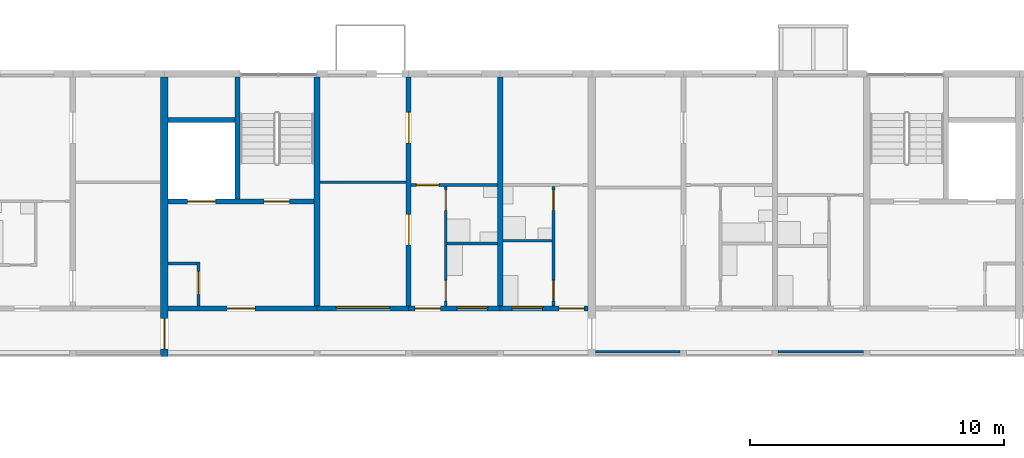
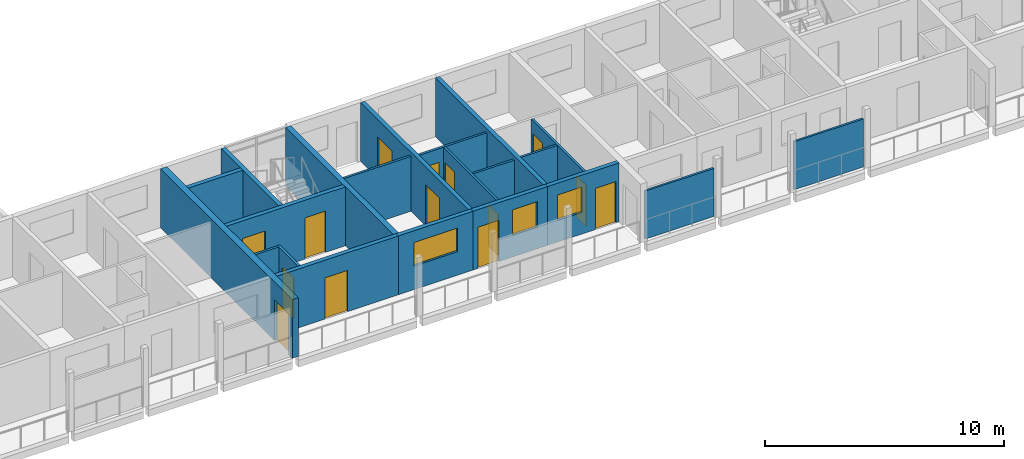
# One storey, part 35 of 99: 21 walls, 14 doors, 3 windows, 17 openings.
"""IFC4 building model written with IfcOpenShell, lengths in metres."""

from ifc_helpers import new_model, si_unit, direction, frame, frame_2d, origin, place, context, subcontext, project, spatial, rectangle, extrude, material, layer, layer_set, type_object, element, fill, save


model = new_model("IFC4")

# Units and contexts
model_context = context("Model", 3, precision=1e-05, world=origin(), true_north=direction((0.0, 1.0)))
body_context = subcontext(model_context, "Body", "Model", "MODEL_VIEW")
ifc_project = project(units=[si_unit("LENGTHUNIT", "METRE"), si_unit("AREAUNIT", "SQUARE_METRE"), si_unit("VOLUMEUNIT", "CUBIC_METRE"), si_unit("PLANEANGLEUNIT", "RADIAN"), si_unit("MASSUNIT", "GRAM", prefix="KILO")], contexts=[model_context])

# Site, building, storey
site_placement = place(None, origin())
site = spatial("IfcSite", under=ifc_project, at=site_placement, CompositionType="ELEMENT")
building_placement = place(site_placement, origin())
building = spatial("IfcBuilding", under=site, at=building_placement, Name="Ridgestep Commons", CompositionType="ELEMENT")
storey_placement = place(building_placement, frame((0.0, 0.0, 15.0)))
storey = spatial("IfcBuildingStorey", under=building, at=storey_placement, Name="L05", CompositionType="ELEMENT", Elevation=15.0)

# Wall
ifc_material_1 = material(Name="Concrete C30/37", Category="concrete")
ifc_layer_1 = layer(ifc_material_1, 0.25)
ifc_layer_set_1 = layer_set([ifc_layer_1], Name="Core cross wall 250")
wall_type_1 = type_object("IfcWallType", Name="Core cross wall 250", PredefinedType="SHEAR", material=ifc_layer_set_1)
wall_1_placement = place(storey_placement, frame((51.60009765625, 68.0, 0.0), z_axis=(0.0, 0.0, 1.0), x_axis=(0.0, 1.0, 0.0)))
element("IfcWall", 1, at=wall_1_placement, inside=storey, type_object=wall_type_1, Name="Cross wall B-05-0516", PredefinedType="SHEAR", context=body_context, shape_type="SweptSolid", body=[
    extrude(rectangle(XDim=9.0, YDim=0.25, at=frame_2d((4.5, 0.0))), origin(), (0.0, 0.0, 1.0), 3.0),
])

# Wall, opening, door
ifc_material_2 = material(Name="Concrete C30/37", Category="concrete")
ifc_layer_2 = layer(ifc_material_2, 0.199951171875)
ifc_layer_set_2 = layer_set([ifc_layer_2], Name="Core south wall 200")
wall_type_2 = type_object("IfcWallType", Name="Core south wall 200", PredefinedType="SHEAR", material=ifc_layer_set_2)
wall_2_placement = place(storey_placement, frame((45.75, 67.89990234375, 0.0), z_axis=(0.0, 0.0, 1.0), x_axis=(1.0, 0.0, 0.0)))
wall_2 = element("IfcWall", 2, at=wall_2_placement, inside=storey, type_object=wall_type_2, Name="Core south wall B3C L05", PredefinedType="SHEAR", context=body_context, shape_type="SweptSolid", body=[
    extrude(rectangle(XDim=5.85009765625, YDim=0.199951171875, at=frame_2d((2.925048828125, 0.0))), origin(), (0.0, 0.0, 1.0), 3.0),
])
opening_1_placement = place(wall_2_placement, frame((2.3125, 0.0, 0.0)))
opening_1 = element("IfcOpeningElement", 3, at=opening_1_placement, cuts=wall_2, Name="Opening B3C/05/1", PredefinedType="OPENING", context=body_context, shape_type="SweptSolid", body=[
    extrude(rectangle(XDim=1.10009765625, YDim=2.10009765625, at=frame_2d((0.550048828125, 1.050048828125))), frame((0.0, 0.10986328125, 0.0), z_axis=(0.0, -1.0, 0.0), x_axis=(1.0, 0.0, 0.0)), (0.0, 0.0, 1.0), 0.219970703125),
])
ifc_material_3 = material(Name="Steel fire door", Category="steel")
door_type_1 = type_object("IfcDoorType", Name="Lobby door 1100 x 2100 FD60", OperationType="NOTDEFINED", PredefinedType="DOOR", material=ifc_material_3)
door_1_placement = place(opening_1_placement, origin())
door_1 = element("IfcDoor", 4, at=door_1_placement, inside=storey, type_object=door_type_1, Name="Lobby door B3C/05/1", OperationType="SINGLE_SWING_LEFT", OverallHeight=2.10009765625, OverallWidth=1.10009765625, PredefinedType="DOOR", context=body_context, shape_type="SweptSolid", body=[
    extrude(rectangle(XDim=1.10009765625, YDim=2.10009765625, at=frame_2d((0.550048828125, 1.050048828125))), frame((0.0, 0.02490234375, 0.0), z_axis=(0.0, -1.0, 0.0), x_axis=(1.0, 0.0, 0.0)), (0.0, 0.0, 1.0), 0.050048828125),
])
fill(opening_1, door_1)

ifc_material_4 = material(Name="Concrete C30/37", Category="concrete")
ifc_layer_3 = layer(ifc_material_4, 0.1201171875)
ifc_layer_set_3 = layer_set([ifc_layer_3], Name="Core wall 120")
wall_type_3 = type_object("IfcWallType", Name="Core wall 120", PredefinedType="SHEAR", material=ifc_layer_set_3)
wall_3_placement = place(storey_placement, frame((46.93994140625, 68.0, 0.0), z_axis=(0.0, 0.0, 1.0), x_axis=(0.0, 1.0, 0.0)))
wall_3 = element("IfcWall", 5, at=wall_3_placement, inside=storey, type_object=wall_type_3, Name="Core riser w wall B3C L05", PredefinedType="SHEAR", context=body_context, shape_type="SweptSolid", body=[
    extrude(rectangle(XDim=1.719970703125, YDim=0.1201171875, at=frame_2d((0.85986328125, 0.0))), origin(), (0.0, 0.0, 1.0), 3.0),
])
opening_2_placement = place(wall_3_placement, frame((0.449951171875, 0.0, 0.0)))
opening_2 = element("IfcOpeningElement", 6, at=opening_2_placement, cuts=wall_3, Name="Opening B3C/05/4", PredefinedType="OPENING", context=body_context, shape_type="SweptSolid", body=[
    extrude(rectangle(XDim=0.89990234375, YDim=2.10009765625, at=frame_2d((0.449951171875, 1.050048828125))), frame((0.0, 0.070068359375, 0.0), z_axis=(0.0, -1.0, 0.0), x_axis=(1.0, 0.0, 0.0)), (0.0, 0.0, 1.0), 0.14013671875),
])
ifc_material_5 = material(Name="Steel fire door", Category="steel")
door_type_2 = type_object("IfcDoorType", Name="Riser door 900 x 2100 FD60", OperationType="NOTDEFINED", PredefinedType="DOOR", material=ifc_material_5)
door_2_placement = place(opening_2_placement, origin())
door_2 = element("IfcDoor", 7, at=door_2_placement, inside=storey, type_object=door_type_2, Name="Riser door B3C/05/4", OperationType="SINGLE_SWING_RIGHT", OverallHeight=2.10009765625, OverallWidth=0.89990234375, PredefinedType="DOOR", context=body_context, shape_type="SweptSolid", body=[
    extrude(rectangle(XDim=0.89990234375, YDim=2.10009765625, at=frame_2d((0.449951171875, 1.050048828125))), frame((0.0, 0.02490234375, 0.0), z_axis=(0.0, -1.0, 0.0), x_axis=(1.0, 0.0, 0.0)), (0.0, 0.0, 1.0), 0.050048828125),
])
fill(opening_2, door_2)

# Wall
wall_4_placement = place(storey_placement, frame((45.75, 69.659912109375, 0.0), z_axis=(0.0, 0.0, 1.0), x_axis=(1.0, 0.0, 0.0)))
element("IfcWall", 8, at=wall_4_placement, inside=storey, type_object=wall_type_3, Name="Core riser n wall B3C L05", PredefinedType="SHEAR", context=body_context, shape_type="SweptSolid", body=[
    extrude(rectangle(XDim=1.1298828125, YDim=0.1201171875, at=frame_2d((0.56494140625, 0.0))), origin(), (0.0, 0.0, 1.0), 3.0),
])

# Wall, openings, doors
ifc_material_6 = material(Name="Concrete C30/37", Category="concrete")
ifc_layer_4 = layer(ifc_material_6, 0.199951171875)
ifc_layer_set_4 = layer_set([ifc_layer_4], Name="Core wall 200")
wall_type_4 = type_object("IfcWallType", Name="Core wall 200", PredefinedType="SHEAR", material=ifc_layer_set_4)
wall_5_placement = place(storey_placement, frame((45.75, 72.10009765625, 0.0), z_axis=(0.0, 0.0, 1.0), x_axis=(1.0, 0.0, 0.0)))
wall_5 = element("IfcWall", 9, at=wall_5_placement, inside=storey, type_object=wall_type_4, Name="Core lobby wall B3C L05", PredefinedType="SHEAR", context=body_context, shape_type="SweptSolid", body=[
    extrude(rectangle(XDim=5.72509765625, YDim=0.199951171875, at=frame_2d((2.862548828125, 0.0))), origin(), (0.0, 0.0, 1.0), 3.0),
])
opening_3_placement = place(wall_5_placement, frame((3.77490234375, 0.0, 0.0)))
opening_3 = element("IfcOpeningElement", 10, at=opening_3_placement, cuts=wall_5, Name="Opening B3C/05/2", PredefinedType="OPENING", context=body_context, shape_type="SweptSolid", body=[
    extrude(rectangle(XDim=1.0, YDim=2.10009765625, at=frame_2d((0.5, 1.050048828125))), frame((0.0, 0.10986328125, 0.0), z_axis=(0.0, -1.0, 0.0), x_axis=(1.0, 0.0, 0.0)), (0.0, 0.0, 1.0), 0.219970703125),
])
opening_4_placement = place(wall_5_placement, frame((0.762451171875, 0.0, 0.0)))
opening_4 = element("IfcOpeningElement", 11, at=opening_4_placement, cuts=wall_5, Name="Opening B3C/05/3", PredefinedType="OPENING", context=body_context, shape_type="SweptSolid", body=[
    extrude(rectangle(XDim=1.10009765625, YDim=2.10009765625, at=frame_2d((0.550048828125, 1.050048828125))), frame((0.0, 0.10986328125, 0.0), z_axis=(0.0, -1.0, 0.0), x_axis=(1.0, 0.0, 0.0)), (0.0, 0.0, 1.0), 0.219970703125),
])
ifc_material_7 = material(Name="Stainless steel", Category="steel")
door_type_3 = type_object("IfcDoorType", Name="Lift landing door 1100 x 2100 FD60", OperationType="DOUBLE_DOOR_SLIDING", PredefinedType="DOOR", material=ifc_material_7)
door_3_placement = place(opening_4_placement, origin())
door_3 = element("IfcDoor", 12, at=door_3_placement, inside=storey, type_object=door_type_3, Name="Landing door LD B3C L05", OperationType="DOUBLE_DOOR_SLIDING", OverallHeight=2.10009765625, OverallWidth=1.10009765625, PredefinedType="DOOR", context=body_context, shape_type="SweptSolid", body=[
    extrude(rectangle(XDim=1.10009765625, YDim=2.10009765625, at=frame_2d((0.550048828125, 1.050048828125))), frame((0.0, 0.02490234375, 0.0), z_axis=(0.0, -1.0, 0.0), x_axis=(1.0, 0.0, 0.0)), (0.0, 0.0, 1.0), 0.050048828125),
])
fill(opening_4, door_3)
ifc_material_8 = material(Name="Steel fire door", Category="steel")
door_type_4 = type_object("IfcDoorType", Name="Stair door 1000 x 2100 FD60", OperationType="NOTDEFINED", PredefinedType="DOOR", material=ifc_material_8)
door_4_placement = place(opening_3_placement, origin())
door_4 = element("IfcDoor", 13, at=door_4_placement, inside=storey, type_object=door_type_4, Name="Stair door B3C/05/2", OperationType="SINGLE_SWING_RIGHT", OverallHeight=2.10009765625, OverallWidth=1.0, PredefinedType="DOOR", context=body_context, shape_type="SweptSolid", body=[
    extrude(rectangle(XDim=1.0, YDim=2.10009765625, at=frame_2d((0.5, 1.050048828125))), frame((0.0, 0.02490234375, 0.0), z_axis=(0.0, -1.0, 0.0), x_axis=(1.0, 0.0, 0.0)), (0.0, 0.0, 1.0), 0.050048828125),
])
fill(opening_3, door_4)

# Walls
wall_6_placement = place(storey_placement, frame((48.47509765625, 72.199951171875, 0.0), z_axis=(0.0, 0.0, 1.0), x_axis=(0.0, 1.0, 0.0)))
element("IfcWall", 14, at=wall_6_placement, inside=storey, type_object=wall_type_4, Name="Core stair wall B3C L05", PredefinedType="SHEAR", context=body_context, shape_type="SweptSolid", body=[
    extrude(rectangle(XDim=4.800048828125, YDim=0.199951171875, at=frame_2d((2.39990234375, 0.0))), origin(), (0.0, 0.0, 1.0), 3.0),
])
wall_7_placement = place(storey_placement, frame((45.75, 75.300048828125, 0.0), z_axis=(0.0, 0.0, 1.0), x_axis=(1.0, 0.0, 0.0)))
element("IfcWall", 15, at=wall_7_placement, inside=storey, type_object=wall_type_4, Name="Core duct wall B3C L05", PredefinedType="SHEAR", context=body_context, shape_type="SweptSolid", body=[
    extrude(rectangle(XDim=2.625, YDim=0.199951171875, at=frame_2d((1.3125, 0.0))), origin(), (0.0, 0.0, 1.0), 3.0),
])

# Wall, openings, doors
ifc_material_9 = material(Name="Precast concrete C40/50", Category="concrete")
ifc_layer_5 = layer(ifc_material_9, 0.199951171875)
ifc_layer_set_5 = layer_set([ifc_layer_5], Name="Cross wall 200")
wall_type_5 = type_object("IfcWallType", Name="Cross wall 200", PredefinedType="SHEAR", material=ifc_layer_set_5)
wall_8_placement = place(storey_placement, frame((55.199951171875, 68.0, 0.0), z_axis=(0.0, 0.0, 1.0), x_axis=(0.0, 1.0, 0.0)))
wall_8 = element("IfcWall", 16, at=wall_8_placement, inside=storey, type_object=wall_type_5, Name="Cross wall B-05-0552", PredefinedType="SHEAR", context=body_context, shape_type="SweptSolid", body=[
    extrude(rectangle(XDim=9.0, YDim=0.199951171875, at=frame_2d((4.5, 0.0))), origin(), (0.0, 0.0, 1.0), 3.0),
])
opening_5_placement = place(wall_8_placement, frame((2.39990234375, 0.0, 0.0)))
opening_5 = element("IfcOpeningElement", 17, at=opening_5_placement, cuts=wall_8, Name="Opening B3-05b/5", PredefinedType="OPENING", context=body_context, shape_type="SweptSolid", body=[
    extrude(rectangle(XDim=1.199951171875, YDim=2.10009765625, at=frame_2d((0.60009765625, 1.050048828125))), frame((0.0, 0.10986328125, 0.0), z_axis=(0.0, -1.0, 0.0), x_axis=(1.0, 0.0, 0.0)), (0.0, 0.0, 1.0), 0.219970703125),
])
opening_6_placement = place(wall_8_placement, frame((6.39990234375, 0.0, 0.0)))
opening_6 = element("IfcOpeningElement", 18, at=opening_6_placement, cuts=wall_8, Name="Opening B3-05b/6", PredefinedType="OPENING", context=body_context, shape_type="SweptSolid", body=[
    extrude(rectangle(XDim=1.199951171875, YDim=2.10009765625, at=frame_2d((0.60009765625, 1.050048828125))), frame((0.0, 0.10986328125, 0.0), z_axis=(0.0, -1.0, 0.0), x_axis=(1.0, 0.0, 0.0)), (0.0, 0.0, 1.0), 0.219970703125),
])
ifc_material_10 = material(Name="Timber door leaf", Category="wood")
door_type_5 = type_object("IfcDoorType", Name="Double door 1200 x 2100", OperationType="DOUBLE_DOOR_SINGLE_SWING", PredefinedType="DOOR", material=ifc_material_10)
door_5_placement = place(opening_5_placement, origin())
door_5 = element("IfcDoor", 19, at=door_5_placement, inside=storey, type_object=door_type_5, Name="Double door B3-05b/5", OperationType="DOUBLE_DOOR_SINGLE_SWING", OverallHeight=2.10009765625, OverallWidth=1.199951171875, PredefinedType="DOOR", context=body_context, shape_type="SweptSolid", body=[
    extrude(rectangle(XDim=1.199951171875, YDim=2.10009765625, at=frame_2d((0.60009765625, 1.050048828125))), frame((0.0, 0.02490234375, 0.0), z_axis=(0.0, -1.0, 0.0), x_axis=(1.0, 0.0, 0.0)), (0.0, 0.0, 1.0), 0.050048828125),
])
fill(opening_5, door_5)
door_6_placement = place(opening_6_placement, origin())
door_6 = element("IfcDoor", 20, at=door_6_placement, inside=storey, type_object=door_type_5, Name="Double door B3-05b/6", OperationType="DOUBLE_DOOR_SINGLE_SWING", OverallHeight=2.10009765625, OverallWidth=1.199951171875, PredefinedType="DOOR", context=body_context, shape_type="SweptSolid", body=[
    extrude(rectangle(XDim=1.199951171875, YDim=2.10009765625, at=frame_2d((0.60009765625, 1.050048828125))), frame((0.0, 0.02490234375, 0.0), z_axis=(0.0, -1.0, 0.0), x_axis=(1.0, 0.0, 0.0)), (0.0, 0.0, 1.0), 0.050048828125),
])
fill(opening_6, door_6)

# Wall
wall_9_placement = place(storey_placement, frame((58.800048828125, 68.0, 0.0), z_axis=(0.0, 0.0, 1.0), x_axis=(0.0, 1.0, 0.0)))
element("IfcWall", 21, at=wall_9_placement, inside=storey, type_object=wall_type_5, Name="Cross wall B-05-0588", PredefinedType="SHEAR", context=body_context, shape_type="SweptSolid", body=[
    extrude(rectangle(XDim=9.0, YDim=0.199951171875, at=frame_2d((4.5, 0.0))), origin(), (0.0, 0.0, 1.0), 3.0),
])

# Wall, opening, door
ifc_material_11 = material(Name="Precast concrete C40/50", Category="concrete")
ifc_layer_6 = layer(ifc_material_11, 0.300048828125)
ifc_layer_set_6 = layer_set([ifc_layer_6], Name="Division wall 300")
wall_type_6 = type_object("IfcWallType", Name="Division wall 300", PredefinedType="SHEAR", material=ifc_layer_set_6)
wall_10_placement = place(storey_placement, frame((45.60009765625, 66.0, 0.0), z_axis=(0.0, 0.0, 1.0), x_axis=(0.0, 1.0, 0.0)))
wall_10 = element("IfcWall", 22, at=wall_10_placement, inside=storey, type_object=wall_type_6, Name="Cross wall B-05-0456", PredefinedType="SHEAR", context=body_context, shape_type="SweptSolid", body=[
    extrude(rectangle(XDim=11.0, YDim=0.300048828125, at=frame_2d((5.5, 0.0))), origin(), (0.0, 0.0, 1.0), 3.0),
])
opening_7_placement = place(wall_10_placement, frame((0.300048828125, 0.0, 0.0)))
opening_7 = element("IfcOpeningElement", 23, at=opening_7_placement, cuts=wall_10, Name="Opening B/05/G0456", PredefinedType="OPENING", context=body_context, shape_type="SweptSolid", body=[
    extrude(rectangle(XDim=1.199951171875, YDim=2.10009765625, at=frame_2d((0.60009765625, 1.050048828125))), frame((0.0, 0.159912109375, 0.0), z_axis=(0.0, -1.0, 0.0), x_axis=(1.0, 0.0, 0.0)), (0.0, 0.0, 1.0), 0.320068359375),
])
ifc_material_12 = material(Name="Steel fire door", Category="steel")
door_type_6 = type_object("IfcDoorType", Name="Division fire door 1200 x 2100 EI 240", OperationType="DOUBLE_DOOR_SINGLE_SWING", PredefinedType="DOOR", material=ifc_material_12)
door_7_placement = place(opening_7_placement, origin())
door_7 = element("IfcDoor", 24, at=door_7_placement, inside=storey, type_object=door_type_6, Name="Division fire door B/05/G0456", OperationType="DOUBLE_DOOR_SINGLE_SWING", OverallHeight=2.10009765625, OverallWidth=1.199951171875, PredefinedType="DOOR", context=body_context, shape_type="SweptSolid", body=[
    extrude(rectangle(XDim=1.199951171875, YDim=2.10009765625, at=frame_2d((0.60009765625, 1.050048828125))), frame((0.0, 0.02490234375, 0.0), z_axis=(0.0, -1.0, 0.0), x_axis=(1.0, 0.0, 0.0)), (0.0, 0.0, 1.0), 0.050048828125),
])
fill(opening_7, door_7)

# Wall
ifc_material_13 = material(Name="Common brick 110 mm", Category="masonry")
ifc_layer_7 = layer(ifc_material_13, 0.110107421875)
ifc_layer_set_7 = layer_set([ifc_layer_7], Name="Partition 110")
wall_type_7 = type_object("IfcWallType", Name="Partition 110", PredefinedType="PARTITIONING", material=ifc_layer_set_7)
wall_11_placement = place(storey_placement, frame((58.89990234375, 70.554931640625, 0.0), z_axis=(0.0, 0.0, 1.0), x_axis=(1.0, 0.0, 0.0)))
element("IfcWall", 25, at=wall_11_placement, inside=storey, type_object=wall_type_7, Name="Partition B3-05a", PredefinedType="PARTITIONING", context=body_context, shape_type="SweptSolid", body=[
    extrude(rectangle(XDim=1.940185546875, YDim=0.110107421875, at=frame_2d((0.97021484375, 0.0))), origin(), (0.0, 0.0, 1.0), 2.75),
])

# Wall, openings, doors
wall_12_placement = place(storey_placement, frame((60.89501953125, 68.0, 0.0), z_axis=(0.0, 0.0, 1.0), x_axis=(0.0, 1.0, 0.0)))
wall_12 = element("IfcWall", 26, at=wall_12_placement, inside=storey, type_object=wall_type_7, Name="Partition B3-05a", PredefinedType="PARTITIONING", context=body_context, shape_type="SweptSolid", body=[
    extrude(rectangle(XDim=4.699951171875, YDim=0.110107421875, at=frame_2d((2.35009765625, 0.0))), origin(), (0.0, 0.0, 1.0), 2.75),
])
opening_8_placement = place(wall_12_placement, frame((0.199951171875, 0.0, 0.0)))
opening_8 = element("IfcOpeningElement", 27, at=opening_8_placement, cuts=wall_12, Name="Opening B3-05a/2", PredefinedType="OPENING", context=body_context, shape_type="SweptSolid", body=[
    extrude(rectangle(XDim=0.800048828125, YDim=2.10009765625, at=frame_2d((0.39990234375, 1.050048828125))), frame((0.0, 0.06494140625, 0.0), z_axis=(0.0, -1.0, 0.0), x_axis=(1.0, 0.0, 0.0)), (0.0, 0.0, 1.0), 0.130126953125),
])
opening_9_placement = place(wall_12_placement, frame((3.75, 0.0, 0.0)))
opening_9 = element("IfcOpeningElement", 28, at=opening_9_placement, cuts=wall_12, Name="Opening B3-05a/3", PredefinedType="OPENING", context=body_context, shape_type="SweptSolid", body=[
    extrude(rectangle(XDim=0.800048828125, YDim=2.10009765625, at=frame_2d((0.39990234375, 1.050048828125))), frame((0.0, 0.06494140625, 0.0), z_axis=(0.0, -1.0, 0.0), x_axis=(1.0, 0.0, 0.0)), (0.0, 0.0, 1.0), 0.130126953125),
])
ifc_material_14 = material(Name="Timber door leaf", Category="wood")
door_type_7 = type_object("IfcDoorType", Name="Internal door 800 x 2100", OperationType="NOTDEFINED", PredefinedType="DOOR", material=ifc_material_14)
door_8_placement = place(opening_8_placement, origin())
door_8 = element("IfcDoor", 29, at=door_8_placement, inside=storey, type_object=door_type_7, Name="Internal door B3-05a/2", OperationType="SINGLE_SWING_LEFT", OverallHeight=2.10009765625, OverallWidth=0.800048828125, PredefinedType="DOOR", context=body_context, shape_type="SweptSolid", body=[
    extrude(rectangle(XDim=0.800048828125, YDim=2.10009765625, at=frame_2d((0.39990234375, 1.050048828125))), frame((0.0, 0.02490234375, 0.0), z_axis=(0.0, -1.0, 0.0), x_axis=(1.0, 0.0, 0.0)), (0.0, 0.0, 1.0), 0.050048828125),
])
fill(opening_8, door_8)
door_9_placement = place(opening_9_placement, origin())
door_9 = element("IfcDoor", 30, at=door_9_placement, inside=storey, type_object=door_type_7, Name="Internal door B3-05a/3", OperationType="SINGLE_SWING_RIGHT", OverallHeight=2.10009765625, OverallWidth=0.800048828125, PredefinedType="DOOR", context=body_context, shape_type="SweptSolid", body=[
    extrude(rectangle(XDim=0.800048828125, YDim=2.10009765625, at=frame_2d((0.39990234375, 1.050048828125))), frame((0.0, 0.02490234375, 0.0), z_axis=(0.0, -1.0, 0.0), x_axis=(1.0, 0.0, 0.0)), (0.0, 0.0, 1.0), 0.050048828125),
])
fill(opening_9, door_9)

wall_13_placement = place(storey_placement, frame((56.655029296875, 68.0, 0.0), z_axis=(0.0, 0.0, 1.0), x_axis=(0.0, 1.0, 0.0)))
wall_13 = element("IfcWall", 31, at=wall_13_placement, inside=storey, type_object=wall_type_7, Name="Partition B3-05b", PredefinedType="PARTITIONING", context=body_context, shape_type="SweptSolid", body=[
    extrude(rectangle(XDim=4.699951171875, YDim=0.110107421875, at=frame_2d((2.35009765625, 0.0))), origin(), (0.0, 0.0, 1.0), 2.800048828125),
])
opening_10_placement = place(wall_13_placement, frame((0.199951171875, 0.0, 0.0)))
opening_10 = element("IfcOpeningElement", 32, at=opening_10_placement, cuts=wall_13, Name="Opening B3-05b/2", PredefinedType="OPENING", context=body_context, shape_type="SweptSolid", body=[
    extrude(rectangle(XDim=0.800048828125, YDim=2.10009765625, at=frame_2d((0.39990234375, 1.050048828125))), frame((0.0, 0.06494140625, 0.0), z_axis=(0.0, -1.0, 0.0), x_axis=(1.0, 0.0, 0.0)), (0.0, 0.0, 1.0), 0.130126953125),
])
opening_11_placement = place(wall_13_placement, frame((3.75, 0.0, 0.0)))
opening_11 = element("IfcOpeningElement", 33, at=opening_11_placement, cuts=wall_13, Name="Opening B3-05b/3", PredefinedType="OPENING", context=body_context, shape_type="SweptSolid", body=[
    extrude(rectangle(XDim=0.800048828125, YDim=2.10009765625, at=frame_2d((0.39990234375, 1.050048828125))), frame((0.0, 0.06494140625, 0.0), z_axis=(0.0, -1.0, 0.0), x_axis=(1.0, 0.0, 0.0)), (0.0, 0.0, 1.0), 0.130126953125),
])
door_10_placement = place(opening_10_placement, origin())
door_10 = element("IfcDoor", 34, at=door_10_placement, inside=storey, type_object=door_type_7, Name="Internal door B3-05b/2", OperationType="SINGLE_SWING_RIGHT", OverallHeight=2.10009765625, OverallWidth=0.800048828125, PredefinedType="DOOR", context=body_context, shape_type="SweptSolid", body=[
    extrude(rectangle(XDim=0.800048828125, YDim=2.10009765625, at=frame_2d((0.39990234375, 1.050048828125))), frame((0.0, 0.02490234375, 0.0), z_axis=(0.0, -1.0, 0.0), x_axis=(1.0, 0.0, 0.0)), (0.0, 0.0, 1.0), 0.050048828125),
])
fill(opening_10, door_10)
door_11_placement = place(opening_11_placement, origin())
door_11 = element("IfcDoor", 35, at=door_11_placement, inside=storey, type_object=door_type_7, Name="Internal door B3-05b/3", OperationType="SINGLE_SWING_LEFT", OverallHeight=2.10009765625, OverallWidth=0.800048828125, PredefinedType="DOOR", context=body_context, shape_type="SweptSolid", body=[
    extrude(rectangle(XDim=0.800048828125, YDim=2.10009765625, at=frame_2d((0.39990234375, 1.050048828125))), frame((0.0, 0.02490234375, 0.0), z_axis=(0.0, -1.0, 0.0), x_axis=(1.0, 0.0, 0.0)), (0.0, 0.0, 1.0), 0.050048828125),
])
fill(opening_11, door_11)

# Wall
wall_14_placement = place(storey_placement, frame((56.7099609375, 70.455078125, 0.0), z_axis=(0.0, 0.0, 1.0), x_axis=(1.0, 0.0, 0.0)))
element("IfcWall", 36, at=wall_14_placement, inside=storey, type_object=wall_type_7, Name="Partition B3-05b", PredefinedType="PARTITIONING", context=body_context, shape_type="SweptSolid", body=[
    extrude(rectangle(XDim=1.989990234375, YDim=0.110107421875, at=frame_2d((0.9951171875, 0.0))), origin(), (0.0, 0.0, 1.0), 2.800048828125),
])

# Wall, opening, door
wall_15_placement = place(storey_placement, frame((55.300048828125, 72.7548828125, 0.0), z_axis=(0.0, 0.0, 1.0), x_axis=(1.0, 0.0, 0.0)))
wall_15 = element("IfcWall", 37, at=wall_15_placement, inside=storey, type_object=wall_type_7, Name="Partition B3-05b", PredefinedType="PARTITIONING", context=body_context, shape_type="SweptSolid", body=[
    extrude(rectangle(XDim=3.39990234375, YDim=0.110107421875, at=frame_2d((1.699951171875, 0.0))), origin(), (0.0, 0.0, 1.0), 2.800048828125),
])
opening_12_placement = place(wall_15_placement, frame((0.199951171875, 0.0, 0.0)))
opening_12 = element("IfcOpeningElement", 38, at=opening_12_placement, cuts=wall_15, Name="Opening B3-05b/4", PredefinedType="OPENING", context=body_context, shape_type="SweptSolid", body=[
    extrude(rectangle(XDim=0.89990234375, YDim=2.10009765625, at=frame_2d((0.449951171875, 1.050048828125))), frame((0.0, 0.06494140625, 0.0), z_axis=(0.0, -1.0, 0.0), x_axis=(1.0, 0.0, 0.0)), (0.0, 0.0, 1.0), 0.130126953125),
])
ifc_material_15 = material(Name="Timber door leaf", Category="wood")
door_type_8 = type_object("IfcDoorType", Name="Internal door 900 x 2100", OperationType="NOTDEFINED", PredefinedType="DOOR", material=ifc_material_15)
door_12_placement = place(opening_12_placement, origin())
door_12 = element("IfcDoor", 39, at=door_12_placement, inside=storey, type_object=door_type_8, Name="Internal door B3-05b/4", OperationType="SINGLE_SWING_LEFT", OverallHeight=2.10009765625, OverallWidth=0.89990234375, PredefinedType="DOOR", context=body_context, shape_type="SweptSolid", body=[
    extrude(rectangle(XDim=0.89990234375, YDim=2.10009765625, at=frame_2d((0.449951171875, 1.050048828125))), frame((0.0, 0.02490234375, 0.0), z_axis=(0.0, -1.0, 0.0), x_axis=(1.0, 0.0, 0.0)), (0.0, 0.0, 1.0), 0.050048828125),
])
fill(opening_12, door_12)

# Walls
wall_16_placement = place(storey_placement, frame((51.72509765625, 72.85498046875, 0.0), z_axis=(0.0, 0.0, 1.0), x_axis=(1.0, 0.0, 0.0)))
element("IfcWall", 40, at=wall_16_placement, inside=storey, type_object=wall_type_7, Name="Partition B3-05b", PredefinedType="PARTITIONING", context=body_context, shape_type="SweptSolid", body=[
    extrude(rectangle(XDim=3.375, YDim=0.110107421875, at=frame_2d((1.6875, 0.0))), origin(), (0.0, 0.0, 1.0), 2.800048828125),
])
ifc_material_16 = material(Name="Precast concrete C30/37", Category="concrete")
ifc_layer_8 = layer(ifc_material_16, 0.10009765625)
ifc_layer_set_8 = layer_set([ifc_layer_8], Name="Perforated gallery screen 3325 x 2450 x 100")
wall_type_8 = type_object("IfcWallType", Name="Perforated gallery screen 3325 x 2450 x 100", PredefinedType="SOLIDWALL", material=ifc_layer_set_8)
wall_17_placement = place(storey_placement, frame((62.550048828125, 66.199951171875, 0.0), z_axis=(0.0, 0.0, 1.0), x_axis=(1.0, 0.0, 0.0)))
element("IfcWall", 41, at=wall_17_placement, inside=storey, type_object=wall_type_8, Name="Gallery screen B4T1 05", PredefinedType="SOLIDWALL", context=body_context, shape_type="SweptSolid", body=[
    extrude(rectangle(XDim=3.324951171875, YDim=0.10009765625, at=frame_2d((1.66259765625, 0.0))), origin(), (0.0, 0.0, 1.0), 2.449951171875),
])
ifc_material_17 = material(Name="Precast concrete C30/37", Category="concrete")
ifc_layer_9 = layer(ifc_material_17, 0.10009765625)
ifc_layer_set_9 = layer_set([ifc_layer_9], Name="Perforated gallery screen 3350 x 2450 x 100")
wall_type_9 = type_object("IfcWallType", Name="Perforated gallery screen 3350 x 2450 x 100", PredefinedType="SOLIDWALL", material=ifc_layer_set_9)
wall_18_placement = place(storey_placement, frame((69.72509765625, 66.199951171875, 0.0), z_axis=(0.0, 0.0, 1.0), x_axis=(1.0, 0.0, 0.0)))
element("IfcWall", 42, at=wall_18_placement, inside=storey, type_object=wall_type_9, Name="Gallery screen B4T3 05", PredefinedType="SOLIDWALL", context=body_context, shape_type="SweptSolid", body=[
    extrude(rectangle(XDim=3.349853515625, YDim=0.10009765625, at=frame_2d((1.6748046875, 0.0))), origin(), (0.0, 0.0, 1.0), 2.449951171875),
])

# Wall, opening, window
ifc_material_18 = material(Name="Precast concrete C40/50", Category="concrete")
ifc_layer_10 = layer(ifc_material_18, 0.199951171875)
ifc_layer_set_10 = layer_set([ifc_layer_10], Name="South facade panel 200")
wall_type_10 = type_object("IfcWallType", Name="South facade panel 200", PredefinedType="SOLIDWALL", material=ifc_layer_set_10)
wall_19_placement = place(storey_placement, frame((51.60009765625, 67.89990234375, 0.0), z_axis=(0.0, 0.0, 1.0), x_axis=(1.0, 0.0, 0.0)))
wall_19 = element("IfcWall", 43, at=wall_19_placement, inside=storey, type_object=wall_type_10, Name="South panel B3T3 L05", PredefinedType="SOLIDWALL", context=body_context, shape_type="SweptSolid", body=[
    extrude(rectangle(XDim=3.599853515625, YDim=0.199951171875, at=frame_2d((1.7998046875, 0.0))), origin(), (0.0, 0.0, 1.0), 3.0),
])
opening_13_placement = place(wall_19_placement, frame((0.762451171875, 0.0, 1.199951171875)))
opening_13 = element("IfcOpeningElement", 44, at=opening_13_placement, cuts=wall_19, Name="Opening W22", PredefinedType="OPENING", context=body_context, shape_type="SweptSolid", body=[
    extrude(rectangle(XDim=2.10009765625, YDim=1.199951171875, at=frame_2d((1.050048828125, 0.60009765625))), frame((0.0, 0.10986328125, 0.0), z_axis=(0.0, -1.0, 0.0), x_axis=(1.0, 0.0, 0.0)), (0.0, 0.0, 1.0), 0.219970703125),
])
ifc_material_19 = material(Name="Aluminium 6063-T6 and glass", Category="aluminium")
window_type_1 = type_object("IfcWindowType", Name="Flat window 2100 x 1200", PartitioningType="DOUBLE_PANEL_VERTICAL", PredefinedType="WINDOW", material=ifc_material_19)
window_1_placement = place(opening_13_placement, origin())
window_1 = element("IfcWindow", 45, at=window_1_placement, inside=storey, type_object=window_type_1, Name="Window B3-05b 1", OverallHeight=1.199951171875, OverallWidth=2.10009765625, PartitioningType="SINGLE_PANEL", PredefinedType="WINDOW", context=body_context, shape_type="SweptSolid", body=[
    extrude(rectangle(XDim=2.10009765625, YDim=1.199951171875, at=frame_2d((1.050048828125, 0.60009765625))), frame((0.0, 0.06005859375, 0.0), z_axis=(0.0, -1.0, 0.0), x_axis=(1.0, 0.0, 0.0)), (0.0, 0.0, 1.0), 0.06005859375),
])
fill(opening_13, window_1)

# Wall, openings, door, window
wall_20_placement = place(storey_placement, frame((55.199951171875, 67.89990234375, 0.0), z_axis=(0.0, 0.0, 1.0), x_axis=(1.0, 0.0, 0.0)))
wall_20 = element("IfcWall", 46, at=wall_20_placement, inside=storey, type_object=wall_type_10, Name="South panel B3T2 L05", PredefinedType="SOLIDWALL", context=body_context, shape_type="SweptSolid", body=[
    extrude(rectangle(XDim=3.60009765625, YDim=0.199951171875, at=frame_2d((1.800048828125, 0.0))), origin(), (0.0, 0.0, 1.0), 3.0),
])
opening_14_placement = place(wall_20_placement, frame((1.905029296875, 0.0, 1.10009765625)))
opening_14 = element("IfcOpeningElement", 47, at=opening_14_placement, cuts=wall_20, Name="Opening W08", PredefinedType="OPENING", context=body_context, shape_type="SweptSolid", body=[
    extrude(rectangle(XDim=1.199951171875, YDim=1.300048828125, at=frame_2d((0.60009765625, 0.64990234375))), frame((0.0, 0.10986328125, 0.0), z_axis=(0.0, -1.0, 0.0), x_axis=(1.0, 0.0, 0.0)), (0.0, 0.0, 1.0), 0.219970703125),
])
opening_15_placement = place(wall_20_placement, frame((0.25, 0.0, 0.0)))
opening_15 = element("IfcOpeningElement", 48, at=opening_15_placement, cuts=wall_20, Name="Opening B3-05b/1", PredefinedType="OPENING", context=body_context, shape_type="SweptSolid", body=[
    extrude(rectangle(XDim=1.0, YDim=2.10009765625, at=frame_2d((0.5, 1.050048828125))), frame((0.0, 0.10986328125, 0.0), z_axis=(0.0, -1.0, 0.0), x_axis=(1.0, 0.0, 0.0)), (0.0, 0.0, 1.0), 0.219970703125),
])
ifc_material_20 = material(Name="Timber door leaf", Category="wood")
door_type_9 = type_object("IfcDoorType", Name="Flat entrance door 1000 x 2100 FD30S", OperationType="NOTDEFINED", PredefinedType="DOOR", material=ifc_material_20)
door_13_placement = place(opening_15_placement, origin())
door_13 = element("IfcDoor", 49, at=door_13_placement, inside=storey, type_object=door_type_9, Name="Flat entrance door B3-05b/1", OperationType="SINGLE_SWING_LEFT", OverallHeight=2.10009765625, OverallWidth=1.0, PredefinedType="DOOR", context=body_context, shape_type="SweptSolid", body=[
    extrude(rectangle(XDim=1.0, YDim=2.10009765625, at=frame_2d((0.5, 1.050048828125))), frame((0.0, 0.02490234375, 0.0), z_axis=(0.0, -1.0, 0.0), x_axis=(1.0, 0.0, 0.0)), (0.0, 0.0, 1.0), 0.050048828125),
])
fill(opening_15, door_13)
ifc_material_21 = material(Name="Aluminium 6063-T6 and glass", Category="aluminium")
window_type_2 = type_object("IfcWindowType", Name="Flat window 1200 x 1300", PartitioningType="SINGLE_PANEL", PredefinedType="WINDOW", material=ifc_material_21)
window_2_placement = place(opening_14_placement, origin())
window_2 = element("IfcWindow", 50, at=window_2_placement, inside=storey, type_object=window_type_2, Name="Window B3-05b 3", OverallHeight=1.300048828125, OverallWidth=1.199951171875, PartitioningType="SINGLE_PANEL", PredefinedType="WINDOW", context=body_context, shape_type="SweptSolid", body=[
    extrude(rectangle(XDim=1.199951171875, YDim=1.300048828125, at=frame_2d((0.60009765625, 0.64990234375))), frame((0.0, 0.06005859375, 0.0), z_axis=(0.0, -1.0, 0.0), x_axis=(1.0, 0.0, 0.0)), (0.0, 0.0, 1.0), 0.06005859375),
])
fill(opening_14, window_2)

wall_21_placement = place(storey_placement, frame((58.800048828125, 67.89990234375, 0.0), z_axis=(0.0, 0.0, 1.0), x_axis=(1.0, 0.0, 0.0)))
wall_21 = element("IfcWall", 51, at=wall_21_placement, inside=storey, type_object=wall_type_10, Name="South panel B3T1 L05", PredefinedType="SOLIDWALL", context=body_context, shape_type="SweptSolid", body=[
    extrude(rectangle(XDim=3.449951171875, YDim=0.199951171875, at=frame_2d((1.72509765625, 0.0))), origin(), (0.0, 0.0, 1.0), 3.0),
])
opening_16_placement = place(wall_21_placement, frame((0.469970703125, 0.0, 1.10009765625)))
opening_16 = element("IfcOpeningElement", 52, at=opening_16_placement, cuts=wall_21, Name="Opening W08", PredefinedType="OPENING", context=body_context, shape_type="SweptSolid", body=[
    extrude(rectangle(XDim=1.199951171875, YDim=1.300048828125, at=frame_2d((0.60009765625, 0.64990234375))), frame((0.0, 0.10986328125, 0.0), z_axis=(0.0, -1.0, 0.0), x_axis=(1.0, 0.0, 0.0)), (0.0, 0.0, 1.0), 0.219970703125),
])
opening_17_placement = place(wall_21_placement, frame((2.300048828125, 0.0, 0.0)))
opening_17 = element("IfcOpeningElement", 53, at=opening_17_placement, cuts=wall_21, Name="Opening B3-05a/1", PredefinedType="OPENING", context=body_context, shape_type="SweptSolid", body=[
    extrude(rectangle(XDim=1.0, YDim=2.10009765625, at=frame_2d((0.5, 1.050048828125))), frame((0.0, 0.10986328125, 0.0), z_axis=(0.0, -1.0, 0.0), x_axis=(1.0, 0.0, 0.0)), (0.0, 0.0, 1.0), 0.219970703125),
])
door_14_placement = place(opening_17_placement, origin())
door_14 = element("IfcDoor", 54, at=door_14_placement, inside=storey, type_object=door_type_9, Name="Flat entrance door B3-05a/1", OperationType="SINGLE_SWING_RIGHT", OverallHeight=2.10009765625, OverallWidth=1.0, PredefinedType="DOOR", context=body_context, shape_type="SweptSolid", body=[
    extrude(rectangle(XDim=1.0, YDim=2.10009765625, at=frame_2d((0.5, 1.050048828125))), frame((0.0, 0.02490234375, 0.0), z_axis=(0.0, -1.0, 0.0), x_axis=(1.0, 0.0, 0.0)), (0.0, 0.0, 1.0), 0.050048828125),
])
fill(opening_17, door_14)
window_3_placement = place(opening_16_placement, origin())
window_3 = element("IfcWindow", 55, at=window_3_placement, inside=storey, type_object=window_type_2, Name="Window B3-05a 1", OverallHeight=1.300048828125, OverallWidth=1.199951171875, PartitioningType="SINGLE_PANEL", PredefinedType="WINDOW", context=body_context, shape_type="SweptSolid", body=[
    extrude(rectangle(XDim=1.199951171875, YDim=1.300048828125, at=frame_2d((0.60009765625, 0.64990234375))), frame((0.0, 0.06005859375, 0.0), z_axis=(0.0, -1.0, 0.0), x_axis=(1.0, 0.0, 0.0)), (0.0, 0.0, 1.0), 0.06005859375),
])
fill(opening_16, window_3)

save(model, "model.ifc")
